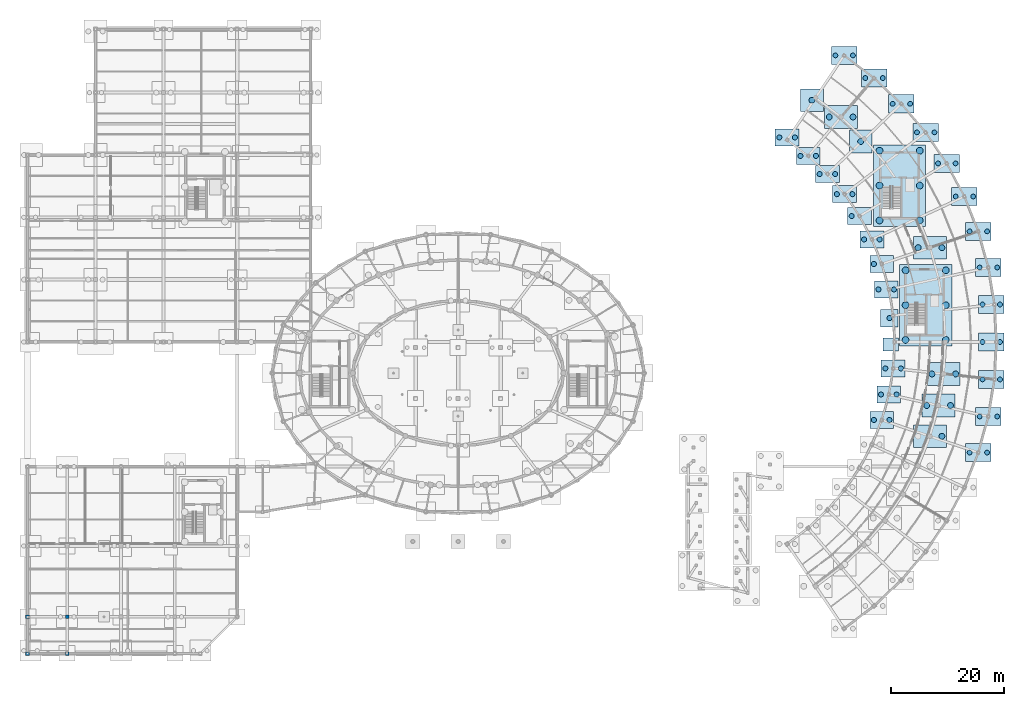
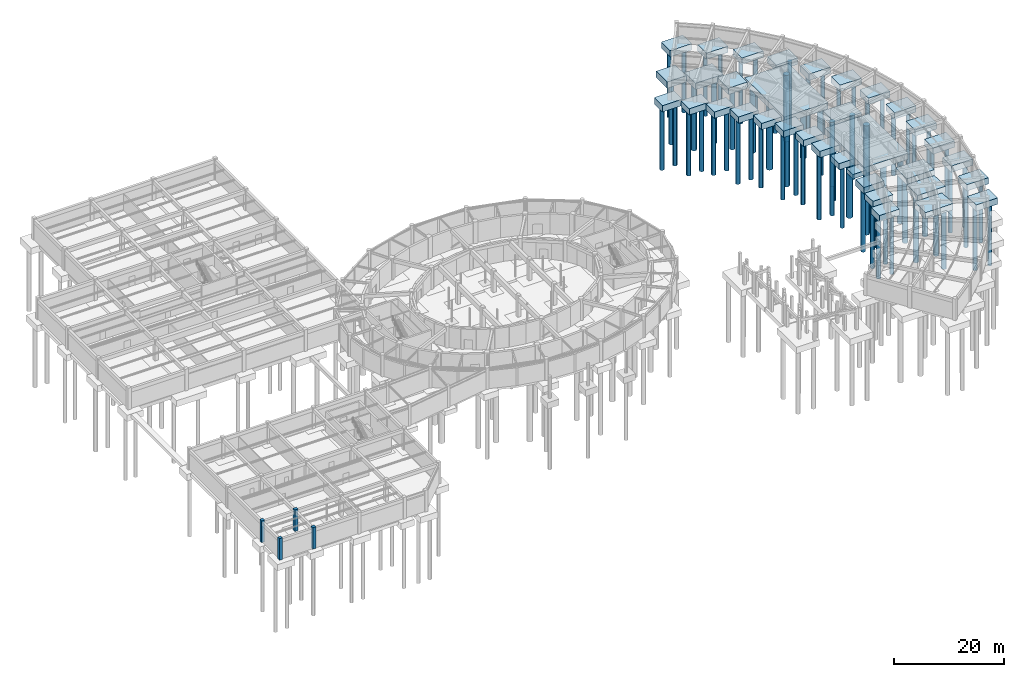
# One storey, part 5 of 42: 70 piles, 35 footings, 4 columns.
"""IFC4 building model written with IfcOpenShell, lengths in metres."""

import ifcopenshell
import ifcopenshell.guid

model = None  # the IFC model being written
_history = None  # IfcOwnerHistory: only IFC2X3 demands one
_inside = {}  # id of a spatial element -> (the spatial element, [elements in it])
_under = {}  # id of a project, library or spatial element -> (it, [spatial elements below it])
_declared = {}  # id of a project -> (the project, [libraries it declares])
_typed = {}  # id of a type object -> (the type object, [elements of that type])
_made_of = {}  # id of a material, layer set ... -> (it, [elements and type objects made of it])


def new_model(schema):
    """Start an empty IFC model of exactly this schema.

    Asked for "IFC4X3", IfcOpenShell would pick the latest addendum, in which some entities
    have other attributes; the version numbers below select the first issue.
    IFC2X3 requires an IfcOwnerHistory on every rooted entity: one is made here for all.
    """
    global model, _history
    if schema == "IFC4X3":
        model = ifcopenshell.file(schema_version=(4, 3, 0, 0))
    else:
        model = ifcopenshell.file(schema=schema)
    _inside.clear()
    _under.clear()
    _declared.clear()
    _typed.clear()
    _made_of.clear()
    _history = None
    if model.schema == "IFC2X3":
        org = make("IfcOrganization", Name="unknown")
        user = make(
            "IfcPersonAndOrganization",
            ThePerson=make("IfcPerson", FamilyName="unknown"),
            TheOrganization=org,
        )
        app = make(
            "IfcApplication",
            ApplicationDeveloper=org,
            Version="unknown",
            ApplicationFullName="unknown",
            ApplicationIdentifier="unknown",
        )
        _history = make(
            "IfcOwnerHistory",
            OwningUser=user,
            OwningApplication=app,
            ChangeAction="ADDED",
            CreationDate=0,
        )
    return model


def make(cls, **values):
    """One entity of the class cls with the attributes given. An attribute that is None is left unset."""
    return model.create_entity(
        cls, **{name: value for name, value in values.items() if value is not None}
    )


def rooted(cls, **values):
    """An entity with a GlobalId (a new one), such as an element, a storey or a relation."""
    return make(cls, GlobalId=ifcopenshell.guid.new(), OwnerHistory=_history, **values)


def si_unit(unit_type, name, prefix=None):
    """IfcSIUnit, for example si_unit("LENGTHUNIT", "METRE", prefix="MILLI")."""
    return make("IfcSIUnit", UnitType=unit_type, Prefix=prefix, Name=name)


def assignment(units):
    """IfcUnitAssignment: the units of a project."""
    return None if units is None else make("IfcUnitAssignment", Units=units)


def point(xyz):
    """IfcCartesianPoint."""
    return None if xyz is None else make("IfcCartesianPoint", Coordinates=xyz)


def direction(xyz):
    """IfcDirection."""
    return None if xyz is None else make("IfcDirection", DirectionRatios=xyz)


def frame(location, z_axis=None, x_axis=None):
    """IfcAxis2Placement3D, a coordinate frame: its origin and axes. An axis left out is left unset."""
    return make(
        "IfcAxis2Placement3D",
        Location=point(location),
        Axis=direction(z_axis),
        RefDirection=direction(x_axis),
    )


def frame_2d(location, x_axis=None):
    """IfcAxis2Placement2D, a coordinate frame in the plane: its origin and x axis."""
    return make(
        "IfcAxis2Placement2D", Location=point(location), RefDirection=direction(x_axis)
    )


def origin():
    """The frame at (0, 0, 0) with its axes left unset."""
    return frame((0.0, 0.0, 0.0))


def origin_2d():
    """The frame at (0, 0) in the plane with its x axis left unset."""
    return frame_2d((0.0, 0.0))


def place(relative_to, where):
    """IfcLocalPlacement: puts the frame where relative to a parent placement (None: the world)."""
    return make(
        "IfcLocalPlacement", PlacementRelTo=relative_to, RelativePlacement=where
    )


def context(
    kind, dimensions, precision=None, world=None, true_north=None, identifier=None
):
    """IfcGeometricRepresentationContext, for example the 3D "Model" context."""
    return make(
        "IfcGeometricRepresentationContext",
        ContextIdentifier=identifier,
        ContextType=kind,
        CoordinateSpaceDimension=dimensions,
        Precision=precision,
        WorldCoordinateSystem=world,
        TrueNorth=true_north,
    )


def subcontext(parent, identifier, kind, view, scale=None):
    """IfcGeometricRepresentationSubContext, for example "Body" below "Model"."""
    return make(
        "IfcGeometricRepresentationSubContext",
        ContextIdentifier=identifier,
        ContextType=kind,
        ParentContext=parent,
        TargetScale=scale,
        TargetView=view,
    )


def project(units=None, contexts=None):
    """IfcProject with its units and contexts."""
    return rooted(
        "IfcProject",
        Name="project",
        RepresentationContexts=contexts,
        UnitsInContext=assignment(units),
    )


def spatial(cls, under=None, at=None, **own):
    """A site, building, storey or space (cls), placed at a placement, below another one or the project."""
    s = rooted(cls, ObjectPlacement=at, **own)
    if under is not None:
        _under.setdefault(under.id(), (under, []))[1].append(s)
    return s


def profile(cls, at=None, kind="AREA", **sizes):
    """A parametric profile (cls). Its sizes go by their IFC names, for example OverallWidth=200.0."""
    return make(cls, ProfileType=kind, Position=at, **sizes)


def rectangle(**sizes):
    """IfcRectangleProfileDef."""
    return profile("IfcRectangleProfileDef", **sizes)


def circle(**sizes):
    """IfcCircleProfileDef."""
    return profile("IfcCircleProfileDef", **sizes)


def extrude(swept, where, along, depth):
    """IfcExtrudedAreaSolid: the profile swept, set in the frame where, extruded along a direction by depth."""
    return make(
        "IfcExtrudedAreaSolid",
        SweptArea=swept,
        Position=where,
        ExtrudedDirection=direction(along),
        Depth=depth,
    )


def shape(context_of_items, identifier, shape_type, items):
    """IfcShapeRepresentation: the items that make up one representation, for example the "Body"."""
    return make(
        "IfcShapeRepresentation",
        ContextOfItems=context_of_items,
        RepresentationIdentifier=identifier,
        RepresentationType=shape_type,
        Items=items,
    )


def material(Name=None, Category=None):
    """IfcMaterial."""
    return make("IfcMaterial", Name=Name, Category=Category)


def material_profile(
    of_material, cross_section, Name=None, Category=None, Priority=None
):
    """IfcMaterialProfile: a cross section and its material."""
    return make(
        "IfcMaterialProfile",
        Name=Name,
        Material=of_material,
        Profile=cross_section,
        Priority=Priority,
        Category=Category,
    )


def profile_set(profiles, Name=None, composite=None):
    """IfcMaterialProfileSet."""
    return make(
        "IfcMaterialProfileSet",
        Name=Name,
        MaterialProfiles=profiles,
        CompositeProfile=composite,
    )


def made_of(thing, what):
    """Note that an element or type object is made of a material, layer set ...; save() writes the relation."""
    if what is not None:
        _made_of.setdefault(what.id(), (what, []))[1].append(thing)
    return thing


def type_object(cls, material=None, **own):
    """A type object (cls), such as IfcWallType, which elements share."""
    return made_of(rooted(cls, **own), material)


def element(
    cls,
    number,
    at=None,
    inside=None,
    cuts=None,
    type_object=None,
    material=None,
    context=None,
    identifier="Body",
    shape_type=None,
    held_by="IfcProductDefinitionShape",
    body=None,
    shapes=None,
    **own,
):
    """One element of the class cls, such as IfcWall. Its Tag is "e" and its number.

    at: its placement. inside: the storey or other place that contains it. cuts: it is an
    opening in that element (IfcRelVoidsElement). A single representation is given by context,
    identifier, shape_type and body (its items); several are given by shapes. held_by: the class
    of the entity that holds the representations. save() writes the other relations.
    """
    e = rooted(cls, Tag="e%d" % number, ObjectPlacement=at, **own)
    if body is not None:
        shapes = [shape(context, identifier, shape_type, body)]
    if shapes is not None:
        e.Representation = make(held_by, Representations=shapes)
    if inside is not None:
        _inside.setdefault(inside.id(), (inside, []))[1].append(e)
    if cuts is not None:
        rooted(
            "IfcRelVoidsElement", RelatingBuildingElement=cuts, RelatedOpeningElement=e
        )
    if type_object is not None:
        _typed.setdefault(type_object.id(), (type_object, []))[1].append(e)
    return made_of(e, material)


def aggregate(whole, parts):
    """IfcRelAggregates: a whole, such as a stair, and the parts it consists of."""
    return rooted("IfcRelAggregates", RelatingObject=whole, RelatedObjects=parts)


def save(model, path):
    """Write the relations noted so far, then the file.

    IfcRelAggregates (storeys below a building ...), IfcRelContainedInSpatialStructure (elements
    in a storey), IfcRelDefinesByType, IfcRelAssociatesMaterial and IfcRelDeclares: one each for
    every whole, place, type object, material and project.
    """
    for whole, parts in _under.values():
        aggregate(whole, parts)
    for where, things in _inside.values():
        rooted(
            "IfcRelContainedInSpatialStructure",
            RelatedElements=things,
            RelatingStructure=where,
        )
    for kind, things in _typed.values():
        rooted("IfcRelDefinesByType", RelatedObjects=things, RelatingType=kind)
    for what, things in _made_of.values():
        rooted("IfcRelAssociatesMaterial", RelatedObjects=things, RelatingMaterial=what)
    for by, libraries in _declared.values():
        rooted("IfcRelDeclares", RelatingContext=by, RelatedDefinitions=libraries)
    model.write(path)


model = new_model("IFC4")

# Units and contexts
model_context = context("Model", 3, precision=1e-05, world=origin(), true_north=direction((0.0, 1.0)))
body_context = subcontext(model_context, "Body", "Model", "MODEL_VIEW")
ifc_project = project(units=[si_unit("LENGTHUNIT", "METRE"), si_unit("AREAUNIT", "SQUARE_METRE"), si_unit("VOLUMEUNIT", "CUBIC_METRE"), si_unit("PLANEANGLEUNIT", "RADIAN"), si_unit("MASSUNIT", "GRAM", prefix="KILO")], contexts=[model_context])

# Site, building, storey
site_placement = place(None, origin())
site = spatial("IfcSite", under=ifc_project, at=site_placement, CompositionType="ELEMENT")
building_placement = place(site_placement, origin())
building = spatial("IfcBuilding", under=site, at=building_placement, Name="Tarnveldt Headland Concert Hall", CompositionType="ELEMENT")
storey_placement = place(building_placement, frame((0.0, 0.0, -4.800048828125)))
storey = spatial("IfcBuildingStorey", under=building, at=storey_placement, Name="B1", CompositionType="ELEMENT", Elevation=-4.800048828125)

# Footings
ifc_material = material(Name="Concrete C40/50", Category="concrete")
footing_type_1 = type_object("IfcFootingType", Name="PC-03", PredefinedType="PILE_CAP", material=ifc_material)
footing_1_placement = place(storey_placement, frame((159.5966796875, 64.210693359375, -1.39990234375), z_axis=(0.0, 0.0, 1.0), x_axis=(1.0, 0.0, 0.0)))
element("IfcFooting", 1, at=footing_1_placement, inside=storey, type_object=footing_type_1, Name="Foundation V3C10IN", PredefinedType="PILE_CAP", context=body_context, shape_type="SweptSolid", body=[
    extrude(rectangle(XDim=3.10009765625, YDim=3.10009765625, at=origin_2d()), origin(), (0.0, 0.0, 1.0), 1.39990234375),
])
footing_type_2 = type_object("IfcFootingType", Name="PC-06", PredefinedType="PILE_CAP", material=ifc_material)
for number, where, z_axis, x_axis, name in (
    (2, (154.53466796875, 95.381103515625, -1.39990234375), (0.0, 0.0, 1.0), (1.0, 0.0, 0.0), "Foundation V3C16MD"),
    (3, (145.927978515625, 102.659912109375, -1.39990234375), (0.0, 0.0, 1.0), (1.0, 0.0, 0.0), "Foundation V3C18MD"),
):
    element("IfcFooting", number, at=place(storey_placement, frame(where, z_axis=z_axis, x_axis=x_axis)), inside=storey, type_object=footing_type_2, Name=name, PredefinedType="PILE_CAP", context=body_context, shape_type="SweptSolid", body=[
        extrude(rectangle(XDim=4.0, YDim=4.0, at=origin_2d()), origin(), (0.0, 0.0, 1.0), 1.39990234375),
    ])
footing_type_3 = type_object("IfcFootingType", Name="PC-07", PredefinedType="PILE_CAP", material=ifc_material)
for number, where, z_axis, x_axis, name in (
    (4, (158.238037109375, 46.2373046875, -1.39990234375), (0.0, 0.0, 1.0), (1.0, 0.0, 0.0), "Foundation V3C06IN"),
    (5, (159.48974609375, 50.73388671875, -1.39990234375), (0.0, 0.0, 1.0), (1.0, 0.0, 0.0), "Foundation V3C07IN"),
    (6, (160.24658203125, 55.33935546875, -1.39990234375), (0.0, 0.0, 1.0), (1.0, 0.0, 0.0), "Foundation V3C08IN"),
    (7, (159.039794921875, 69.26611328125, -1.39990234375), (0.0, 0.0, 1.0), (1.0, 0.0, 0.0), "Foundation V3C11IN"),
    (8, (158.238037109375, 73.7626953125, -1.39990234375), (0.0, 0.0, 1.0), (1.0, 0.0, 0.0), "Foundation V3C12IN"),
    (9, (156.50634765625, 78.096923828125, -1.39990234375), (0.0, 0.0, 1.0), (1.0, 0.0, 0.0), "Foundation V3C13IN"),
    (10, (154.315185546875, 82.218017578125, -1.39990234375), (0.0, 0.0, 1.0), (1.0, 0.0, 0.0), "Foundation V3C14IN"),
    (11, (151.690185546875, 86.077392578125, -1.39990234375), (0.0, 0.0, 1.0), (1.0, 0.0, 0.0), "Foundation V3C15IN"),
    (12, (148.662353515625, 89.62939453125, -1.39990234375), (0.0, 0.0, 1.0), (1.0, 0.0, 0.0), "Foundation V3C16IN"),
    (13, (145.267333984375, 92.83251953125, -1.39990234375), (0.0, 0.0, 1.0), (1.0, 0.0, 0.0), "Foundation V3C17IN"),
    (14, (141.54541015625, 96.0986328125, -1.39990234375), (0.0, 0.0, 1.0), (1.0, 0.0, 0.0), "Foundation V3C18IN"),
):
    element("IfcFooting", number, at=place(storey_placement, frame(where, z_axis=z_axis, x_axis=x_axis)), inside=storey, type_object=footing_type_3, Name=name, PredefinedType="PILE_CAP", context=body_context, shape_type="SweptSolid", body=[
        extrude(rectangle(XDim=4.199951171875, YDim=3.0, at=origin_2d()), origin(), (0.0, 0.0, 1.0), 1.39990234375),
    ])
footing_type_4 = type_object("IfcFootingType", Name="PC-08", PredefinedType="PILE_CAP", material=ifc_material)
for number, where, z_axis, x_axis, name in (
    (15, (175.291259765625, 40.476318359375, -1.39990234375), (0.0, 0.0, 1.0), (1.0, 0.0, 0.0), "Foundation V3C06OUT"),
    (16, (177.06689453125, 46.85498046875, -1.39990234375), (0.0, 0.0, 1.0), (1.0, 0.0, 0.0), "Foundation V3C07OUT"),
    (17, (177.570068359375, 53.388427734375, -1.39990234375), (0.0, 0.0, 1.0), (1.0, 0.0, 0.0), "Foundation V3C08OUT"),
    (18, (177.570068359375, 60.0, -1.39990234375), (0.0, 0.0, 1.0), (1.0, 0.0, 0.0), "Foundation V3C09OUT"),
    (19, (177.570068359375, 66.611572265625, -1.39990234375), (0.0, 0.0, 1.0), (1.0, 0.0, 0.0), "Foundation V3C10OUT"),
    (20, (177.06689453125, 73.14501953125, -1.39990234375), (0.0, 0.0, 1.0), (1.0, 0.0, 0.0), "Foundation V3C11OUT"),
    (21, (175.291259765625, 79.523681640625, -1.39990234375), (0.0, 0.0, 1.0), (1.0, 0.0, 0.0), "Foundation V3C12OUT"),
    (22, (172.834716796875, 85.672607421875, -1.39990234375), (0.0, 0.0, 1.0), (1.0, 0.0, 0.0), "Foundation V3C13OUT"),
    (23, (169.726318359375, 91.518798828125, -1.39990234375), (0.0, 0.0, 1.0), (1.0, 0.0, 0.0), "Foundation V3C14OUT"),
    (24, (166.00244140625, 96.993408203125, -1.39990234375), (0.0, 0.0, 1.0), (1.0, 0.0, 0.0), "Foundation V3C15OUT"),
    (25, (161.70703125, 102.032470703125, -1.39990234375), (0.0, 0.0, 1.0), (1.0, 0.0, 0.0), "Foundation V3C16OUT"),
    (26, (156.89111328125, 106.576416015625, -1.39990234375), (0.0, 0.0, 1.0), (1.0, 0.0, 0.0), "Foundation V3C17OUT"),
    (27, (151.61083984375, 110.5712890625, -1.39990234375), (0.0, 0.0, 1.0), (1.0, 0.0, 0.0), "Foundation V3C18OUT"),
):
    element("IfcFooting", number, at=place(storey_placement, frame(where, z_axis=z_axis, x_axis=x_axis)), inside=storey, type_object=footing_type_4, Name=name, PredefinedType="PILE_CAP", context=body_context, shape_type="SweptSolid", body=[
        extrude(rectangle(XDim=4.5, YDim=3.199951171875, at=origin_2d()), origin(), (0.0, 0.0, 1.0), 1.39990234375),
    ])
footing_type_5 = type_object("IfcFootingType", Name="PC-11", PredefinedType="PILE_CAP", material=ifc_material)
for number, where, z_axis, x_axis, name in (
    (28, (166.7646484375, 43.356689453125, -1.39990234375), (0.0, 0.0, 1.0), (1.0, 0.0, 0.0), "Foundation V3C06MD"),
    (29, (168.2783203125, 48.79443359375, -1.39990234375), (0.0, 0.0, 1.0), (1.0, 0.0, 0.0), "Foundation V3C07MD"),
    (30, (169.193603515625, 54.364013671875, -1.39990234375), (0.0, 0.0, 1.0), (1.0, 0.0, 0.0), "Foundation V3C08MD"),
    (31, (166.7646484375, 76.643310546875, -1.39990234375), (0.0, 0.0, 1.0), (1.0, 0.0, 0.0), "Foundation V3C12MD"),
    (32, (151.0791015625, 99.704345703125, -1.39990234375), (0.0, 0.0, 1.0), (1.0, 0.0, 0.0), "Foundation V3C17MD"),
):
    element("IfcFooting", number, at=place(storey_placement, frame(where, z_axis=z_axis, x_axis=x_axis)), inside=storey, type_object=footing_type_5, Name=name, PredefinedType="PILE_CAP", context=body_context, shape_type="SweptSolid", body=[
        extrude(rectangle(XDim=5.800048828125, YDim=4.0, at=origin_2d()), origin(), (0.0, 0.0, 1.0), 1.39990234375),
    ])
footing_type_6 = type_object("IfcFootingType", Name="PC-17", PredefinedType="PILE_CAP", material=ifc_material)
for number, where, z_axis, x_axis, name in (
    (33, (161.39990234375, 87.60009765625, -1.39990234375), (0.0, 0.0, 1.0), (1.0, 0.0, 0.0), "Core C3 pile cap"),
    (34, (166.0, 66.5, -1.39990234375), (0.0, 0.0, 1.0), (1.0, 0.0, 0.0), "Core C4 pile cap"),
):
    element("IfcFooting", number, at=place(storey_placement, frame(where, z_axis=z_axis, x_axis=x_axis)), inside=storey, type_object=footing_type_6, Name=name, PredefinedType="PILE_CAP", context=body_context, shape_type="SweptSolid", body=[
        extrude(rectangle(XDim=9.199951171875, YDim=14.39990234375, at=origin_2d()), origin(), (0.0, 0.0, 1.0), 1.39990234375),
    ])
footing_type_7 = type_object("IfcFootingType", Name="PF-05", PredefinedType="PAD_FOOTING", material=ifc_material)
footing_2_placement = place(storey_placement, frame((159.85009765625, 59.550048828125, -1.0), z_axis=(0.0, 0.0, 1.0), x_axis=(1.0, 0.0, 0.0)))
element("IfcFooting", 35, at=footing_2_placement, inside=storey, type_object=footing_type_7, Name="Foundation V3C09IN", PredefinedType="PAD_FOOTING", context=body_context, shape_type="SweptSolid", body=[
    extrude(rectangle(XDim=2.699951171875, YDim=2.300048828125, at=origin_2d()), origin(), (0.0, 0.0, 1.0), 1.0),
])

# Piles
ifc_material_profile_1 = material_profile(ifc_material, circle(Radius=0.52490234375, at=origin_2d()), Name="BORED PILE D1050", Category="concrete")
ifc_profile_set_1 = profile_set([ifc_material_profile_1], Name="Concrete C40/50")
pile_type_1 = type_object("IfcPileType", Name="PL-1050", PredefinedType="BORED", material=ifc_profile_set_1)
pile_1_placement = place(storey_placement, frame((168.859619140625, 43.356689453125, -1.300048828125), z_axis=(0.0, 0.0, -1.0), x_axis=(1.0, 0.0, 0.0)))
element("IfcPile", 36, at=pile_1_placement, inside=storey, type_object=pile_type_1, Name="Bored pile PILE-V3C06MD-02", PredefinedType="BORED", context=body_context, shape_type="SweptSolid", body=[
    extrude(circle(Radius=0.52490234375, at=origin_2d()), origin(), (0.0, 0.0, 1.0), 13.89990234375),
])
for number, where, z_axis, x_axis, name in (
    (37, (166.183349609375, 48.79443359375, -1.300048828125), (0.0, 0.0, -1.0), (1.0, 0.0, 0.0), "Bored pile PILE-V3C07MD-01"),
    (38, (170.373291015625, 48.79443359375, -1.300048828125), (0.0, 0.0, -1.0), (1.0, 0.0, 0.0), "Bored pile PILE-V3C07MD-02"),
):
    element("IfcPile", number, at=place(storey_placement, frame(where, z_axis=z_axis, x_axis=x_axis)), inside=storey, type_object=pile_type_1, Name=name, PredefinedType="BORED", context=body_context, shape_type="SweptSolid", body=[
        extrude(circle(Radius=0.52490234375, at=origin_2d()), origin(), (0.0, 0.0, 1.0), 14.800048828125),
    ])
for number, where, z_axis, x_axis, name in (
    (39, (167.0986328125, 54.364013671875, -1.300048828125), (0.0, 0.0, -1.0), (1.0, 0.0, 0.0), "Bored pile PILE-V3C08MD-01"),
    (40, (171.288818359375, 54.364013671875, -1.300048828125), (0.0, 0.0, -1.0), (1.0, 0.0, 0.0), "Bored pile PILE-V3C08MD-02"),
    (41, (164.669677734375, 76.643310546875, -1.300048828125), (0.0, 0.0, -1.0), (1.0, 0.0, 0.0), "Bored pile PILE-V3C12MD-01"),
    (42, (168.859619140625, 76.643310546875, -1.300048828125), (0.0, 0.0, -1.0), (1.0, 0.0, 0.0), "Bored pile PILE-V3C12MD-02"),
):
    element("IfcPile", number, at=place(storey_placement, frame(where, z_axis=z_axis, x_axis=x_axis)), inside=storey, type_object=pile_type_1, Name=name, PredefinedType="BORED", context=body_context, shape_type="SweptSolid", body=[
        extrude(circle(Radius=0.52490234375, at=origin_2d()), origin(), (0.0, 0.0, 1.0), 14.199951171875),
    ])
pile_2_placement = place(storey_placement, frame((154.53466796875, 95.381103515625, -1.300048828125), z_axis=(0.0, 0.0, -1.0), x_axis=(1.0, 0.0, 0.0)))
element("IfcPile", 43, at=pile_2_placement, inside=storey, type_object=pile_type_1, Name="Bored pile PILE-V3C16MD-01", PredefinedType="BORED", context=body_context, shape_type="SweptSolid", body=[
    extrude(circle(Radius=0.52490234375, at=origin_2d()), origin(), (0.0, 0.0, 1.0), 13.89990234375),
])
for number, where, z_axis, x_axis, name in (
    (44, (148.984130859375, 99.704345703125, -1.300048828125), (0.0, 0.0, -1.0), (1.0, 0.0, 0.0), "Bored pile PILE-V3C17MD-01"),
    (45, (153.17431640625, 99.704345703125, -1.300048828125), (0.0, 0.0, -1.0), (1.0, 0.0, 0.0), "Bored pile PILE-V3C17MD-02"),
):
    element("IfcPile", number, at=place(storey_placement, frame(where, z_axis=z_axis, x_axis=x_axis)), inside=storey, type_object=pile_type_1, Name=name, PredefinedType="BORED", context=body_context, shape_type="SweptSolid", body=[
        extrude(circle(Radius=0.52490234375, at=origin_2d()), origin(), (0.0, 0.0, 1.0), 14.800048828125),
    ])
pile_3_placement = place(storey_placement, frame((145.927978515625, 102.659912109375, -1.300048828125), z_axis=(0.0, 0.0, -1.0), x_axis=(1.0, 0.0, 0.0)))
element("IfcPile", 46, at=pile_3_placement, inside=storey, type_object=pile_type_1, Name="Bored pile PILE-V3C18MD-01", PredefinedType="BORED", context=body_context, shape_type="SweptSolid", body=[
    extrude(circle(Radius=0.52490234375, at=origin_2d()), origin(), (0.0, 0.0, 1.0), 14.199951171875),
])
ifc_material_profile_2 = material_profile(ifc_material, circle(Radius=0.60009765625, at=origin_2d()), Name="BORED PILE D1200", Category="concrete")
ifc_profile_set_2 = profile_set([ifc_material_profile_2], Name="Concrete C40/50")
pile_type_2 = type_object("IfcPileType", Name="PL-1200", PredefinedType="BORED", material=ifc_profile_set_2)
for number, where, z_axis, x_axis, name in (
    (47, (157.85009765625, 81.449951171875, -1.300048828125), (0.0, 0.0, -1.0), (1.0, 0.0, 0.0), "Bored pile PILE-C3-01"),
    (48, (164.949951171875, 81.449951171875, -1.300048828125), (0.0, 0.0, -1.0), (1.0, 0.0, 0.0), "Bored pile PILE-C3-02"),
    (49, (157.85009765625, 87.60009765625, -1.300048828125), (0.0, 0.0, -1.0), (1.0, 0.0, 0.0), "Bored pile PILE-C3-03"),
    (50, (164.949951171875, 87.60009765625, -1.300048828125), (0.0, 0.0, -1.0), (1.0, 0.0, 0.0), "Bored pile PILE-C3-04"),
    (51, (157.85009765625, 93.75, -1.300048828125), (0.0, 0.0, -1.0), (1.0, 0.0, 0.0), "Bored pile PILE-C3-05"),
    (52, (164.949951171875, 93.75, -1.300048828125), (0.0, 0.0, -1.0), (1.0, 0.0, 0.0), "Bored pile PILE-C3-06"),
):
    element("IfcPile", number, at=place(storey_placement, frame(where, z_axis=z_axis, x_axis=x_axis)), inside=storey, type_object=pile_type_2, Name=name, PredefinedType="BORED", context=body_context, shape_type="SweptSolid", body=[
        extrude(circle(Radius=0.60009765625, at=origin_2d()), origin(), (0.0, 0.0, 1.0), 14.800048828125),
    ])
for number, where, z_axis, x_axis, name in (
    (53, (162.449951171875, 60.35009765625, -1.300048828125), (0.0, 0.0, -1.0), (1.0, 0.0, 0.0), "Bored pile PILE-C4-01"),
    (54, (169.550048828125, 60.35009765625, -1.300048828125), (0.0, 0.0, -1.0), (1.0, 0.0, 0.0), "Bored pile PILE-C4-02"),
    (55, (162.449951171875, 66.5, -1.300048828125), (0.0, 0.0, -1.0), (1.0, 0.0, 0.0), "Bored pile PILE-C4-03"),
    (56, (169.550048828125, 66.5, -1.300048828125), (0.0, 0.0, -1.0), (1.0, 0.0, 0.0), "Bored pile PILE-C4-04"),
    (57, (162.449951171875, 72.64990234375, -1.300048828125), (0.0, 0.0, -1.0), (1.0, 0.0, 0.0), "Bored pile PILE-C4-05"),
    (58, (169.550048828125, 72.64990234375, -1.300048828125), (0.0, 0.0, -1.0), (1.0, 0.0, 0.0), "Bored pile PILE-C4-06"),
):
    element("IfcPile", number, at=place(storey_placement, frame(where, z_axis=z_axis, x_axis=x_axis)), inside=storey, type_object=pile_type_2, Name=name, PredefinedType="BORED", context=body_context, shape_type="SweptSolid", body=[
        extrude(circle(Radius=0.60009765625, at=origin_2d()), origin(), (0.0, 0.0, 1.0), 14.300048828125),
    ])
ifc_material_profile_3 = material_profile(ifc_material, circle(Radius=0.425048828125, at=origin_2d()), Name="BORED PILE D850", Category="concrete")
ifc_profile_set_3 = profile_set([ifc_material_profile_3], Name="Concrete C40/50")
pile_type_3 = type_object("IfcPileType", Name="PL-850", PredefinedType="BORED", material=ifc_profile_set_3)
for number, where, z_axis, x_axis, name in (
    (59, (173.74609375, 40.476318359375, -1.300048828125), (0.0, 0.0, -1.0), (1.0, 0.0, 0.0), "Bored pile PILE-V3C06OUT-01"),
    (60, (176.836181640625, 40.476318359375, -1.300048828125), (0.0, 0.0, -1.0), (1.0, 0.0, 0.0), "Bored pile PILE-V3C06OUT-02"),
):
    element("IfcPile", number, at=place(storey_placement, frame(where, z_axis=z_axis, x_axis=x_axis)), inside=storey, type_object=pile_type_3, Name=name, PredefinedType="BORED", context=body_context, shape_type="SweptSolid", body=[
        extrude(circle(Radius=0.425048828125, at=origin_2d()), origin(), (0.0, 0.0, 1.0), 14.199951171875),
    ])
for number, where, z_axis, x_axis, name in (
    (61, (175.521728515625, 46.85498046875, -1.300048828125), (0.0, 0.0, -1.0), (1.0, 0.0, 0.0), "Bored pile PILE-V3C07OUT-01"),
    (62, (178.61181640625, 46.85498046875, -1.300048828125), (0.0, 0.0, -1.0), (1.0, 0.0, 0.0), "Bored pile PILE-V3C07OUT-02"),
):
    element("IfcPile", number, at=place(storey_placement, frame(where, z_axis=z_axis, x_axis=x_axis)), inside=storey, type_object=pile_type_3, Name=name, PredefinedType="BORED", context=body_context, shape_type="SweptSolid", body=[
        extrude(circle(Radius=0.425048828125, at=origin_2d()), origin(), (0.0, 0.0, 1.0), 13.60009765625),
    ])
for number, where, z_axis, x_axis, name in (
    (63, (176.02490234375, 53.388427734375, -1.300048828125), (0.0, 0.0, -1.0), (1.0, 0.0, 0.0), "Bored pile PILE-V3C08OUT-01"),
    (64, (179.114990234375, 53.388427734375, -1.300048828125), (0.0, 0.0, -1.0), (1.0, 0.0, 0.0), "Bored pile PILE-V3C08OUT-02"),
):
    element("IfcPile", number, at=place(storey_placement, frame(where, z_axis=z_axis, x_axis=x_axis)), inside=storey, type_object=pile_type_3, Name=name, PredefinedType="BORED", context=body_context, shape_type="SweptSolid", body=[
        extrude(circle(Radius=0.425048828125, at=origin_2d()), origin(), (0.0, 0.0, 1.0), 14.5),
    ])
for number, where, z_axis, x_axis, name in (
    (65, (176.02490234375, 60.0, -1.300048828125), (0.0, 0.0, -1.0), (1.0, 0.0, 0.0), "Bored pile PILE-V3C09OUT-01"),
    (66, (179.114990234375, 60.0, -1.300048828125), (0.0, 0.0, -1.0), (1.0, 0.0, 0.0), "Bored pile PILE-V3C09OUT-02"),
):
    element("IfcPile", number, at=place(storey_placement, frame(where, z_axis=z_axis, x_axis=x_axis)), inside=storey, type_object=pile_type_3, Name=name, PredefinedType="BORED", context=body_context, shape_type="SweptSolid", body=[
        extrude(circle(Radius=0.425048828125, at=origin_2d()), origin(), (0.0, 0.0, 1.0), 13.89990234375),
    ])
for number, where, z_axis, x_axis, name in (
    (67, (176.02490234375, 66.611572265625, -1.300048828125), (0.0, 0.0, -1.0), (1.0, 0.0, 0.0), "Bored pile PILE-V3C10OUT-01"),
    (68, (179.114990234375, 66.611572265625, -1.300048828125), (0.0, 0.0, -1.0), (1.0, 0.0, 0.0), "Bored pile PILE-V3C10OUT-02"),
):
    element("IfcPile", number, at=place(storey_placement, frame(where, z_axis=z_axis, x_axis=x_axis)), inside=storey, type_object=pile_type_3, Name=name, PredefinedType="BORED", context=body_context, shape_type="SweptSolid", body=[
        extrude(circle(Radius=0.425048828125, at=origin_2d()), origin(), (0.0, 0.0, 1.0), 14.5),
    ])
for number, where, z_axis, x_axis, name in (
    (69, (175.521728515625, 73.14501953125, -1.300048828125), (0.0, 0.0, -1.0), (1.0, 0.0, 0.0), "Bored pile PILE-V3C11OUT-01"),
    (70, (178.61181640625, 73.14501953125, -1.300048828125), (0.0, 0.0, -1.0), (1.0, 0.0, 0.0), "Bored pile PILE-V3C11OUT-02"),
):
    element("IfcPile", number, at=place(storey_placement, frame(where, z_axis=z_axis, x_axis=x_axis)), inside=storey, type_object=pile_type_3, Name=name, PredefinedType="BORED", context=body_context, shape_type="SweptSolid", body=[
        extrude(circle(Radius=0.425048828125, at=origin_2d()), origin(), (0.0, 0.0, 1.0), 13.60009765625),
    ])
for number, where, z_axis, x_axis, name in (
    (71, (173.74609375, 79.523681640625, -1.300048828125), (0.0, 0.0, -1.0), (1.0, 0.0, 0.0), "Bored pile PILE-V3C12OUT-01"),
    (72, (176.836181640625, 79.523681640625, -1.300048828125), (0.0, 0.0, -1.0), (1.0, 0.0, 0.0), "Bored pile PILE-V3C12OUT-02"),
):
    element("IfcPile", number, at=place(storey_placement, frame(where, z_axis=z_axis, x_axis=x_axis)), inside=storey, type_object=pile_type_3, Name=name, PredefinedType="BORED", context=body_context, shape_type="SweptSolid", body=[
        extrude(circle(Radius=0.425048828125, at=origin_2d()), origin(), (0.0, 0.0, 1.0), 14.5),
    ])
for number, where, z_axis, x_axis, name in (
    (73, (171.289794921875, 85.672607421875, -1.300048828125), (0.0, 0.0, -1.0), (1.0, 0.0, 0.0), "Bored pile PILE-V3C13OUT-01"),
    (74, (174.379638671875, 85.672607421875, -1.300048828125), (0.0, 0.0, -1.0), (1.0, 0.0, 0.0), "Bored pile PILE-V3C13OUT-02"),
):
    element("IfcPile", number, at=place(storey_placement, frame(where, z_axis=z_axis, x_axis=x_axis)), inside=storey, type_object=pile_type_3, Name=name, PredefinedType="BORED", context=body_context, shape_type="SweptSolid", body=[
        extrude(circle(Radius=0.425048828125, at=origin_2d()), origin(), (0.0, 0.0, 1.0), 13.60009765625),
    ])
for number, where, z_axis, x_axis, name in (
    (75, (168.18115234375, 91.518798828125, -1.300048828125), (0.0, 0.0, -1.0), (1.0, 0.0, 0.0), "Bored pile PILE-V3C14OUT-01"),
    (76, (171.271240234375, 91.518798828125, -1.300048828125), (0.0, 0.0, -1.0), (1.0, 0.0, 0.0), "Bored pile PILE-V3C14OUT-02"),
):
    element("IfcPile", number, at=place(storey_placement, frame(where, z_axis=z_axis, x_axis=x_axis)), inside=storey, type_object=pile_type_3, Name=name, PredefinedType="BORED", context=body_context, shape_type="SweptSolid", body=[
        extrude(circle(Radius=0.425048828125, at=origin_2d()), origin(), (0.0, 0.0, 1.0), 14.199951171875),
    ])
for number, where, z_axis, x_axis, name in (
    (77, (164.45751953125, 96.993408203125, -1.300048828125), (0.0, 0.0, -1.0), (1.0, 0.0, 0.0), "Bored pile PILE-V3C15OUT-01"),
    (78, (167.54736328125, 96.993408203125, -1.300048828125), (0.0, 0.0, -1.0), (1.0, 0.0, 0.0), "Bored pile PILE-V3C15OUT-02"),
):
    element("IfcPile", number, at=place(storey_placement, frame(where, z_axis=z_axis, x_axis=x_axis)), inside=storey, type_object=pile_type_3, Name=name, PredefinedType="BORED", context=body_context, shape_type="SweptSolid", body=[
        extrude(circle(Radius=0.425048828125, at=origin_2d()), origin(), (0.0, 0.0, 1.0), 14.800048828125),
    ])
for number, where, z_axis, x_axis, name in (
    (79, (160.162109375, 102.032470703125, -1.300048828125), (0.0, 0.0, -1.0), (1.0, 0.0, 0.0), "Bored pile PILE-V3C16OUT-01"),
    (80, (163.252197265625, 102.032470703125, -1.300048828125), (0.0, 0.0, -1.0), (1.0, 0.0, 0.0), "Bored pile PILE-V3C16OUT-02"),
):
    element("IfcPile", number, at=place(storey_placement, frame(where, z_axis=z_axis, x_axis=x_axis)), inside=storey, type_object=pile_type_3, Name=name, PredefinedType="BORED", context=body_context, shape_type="SweptSolid", body=[
        extrude(circle(Radius=0.425048828125, at=origin_2d()), origin(), (0.0, 0.0, 1.0), 14.199951171875),
    ])
for number, where, z_axis, x_axis, name in (
    (81, (155.345947265625, 106.576416015625, -1.300048828125), (0.0, 0.0, -1.0), (1.0, 0.0, 0.0), "Bored pile PILE-V3C17OUT-01"),
    (82, (158.43603515625, 106.576416015625, -1.300048828125), (0.0, 0.0, -1.0), (1.0, 0.0, 0.0), "Bored pile PILE-V3C17OUT-02"),
):
    element("IfcPile", number, at=place(storey_placement, frame(where, z_axis=z_axis, x_axis=x_axis)), inside=storey, type_object=pile_type_3, Name=name, PredefinedType="BORED", context=body_context, shape_type="SweptSolid", body=[
        extrude(circle(Radius=0.425048828125, at=origin_2d()), origin(), (0.0, 0.0, 1.0), 13.60009765625),
    ])
for number, where, z_axis, x_axis, name in (
    (83, (150.06591796875, 110.5712890625, -1.300048828125), (0.0, 0.0, -1.0), (1.0, 0.0, 0.0), "Bored pile PILE-V3C18OUT-01"),
    (84, (153.15576171875, 110.5712890625, -1.300048828125), (0.0, 0.0, -1.0), (1.0, 0.0, 0.0), "Bored pile PILE-V3C18OUT-02"),
):
    element("IfcPile", number, at=place(storey_placement, frame(where, z_axis=z_axis, x_axis=x_axis)), inside=storey, type_object=pile_type_3, Name=name, PredefinedType="BORED", context=body_context, shape_type="SweptSolid", body=[
        extrude(circle(Radius=0.425048828125, at=origin_2d()), origin(), (0.0, 0.0, 1.0), 14.5),
    ])
ifc_material_profile_4 = material_profile(ifc_material, circle(Radius=0.449951171875, at=origin_2d()), Name="BORED PILE D900", Category="concrete")
ifc_profile_set_4 = profile_set([ifc_material_profile_4], Name="Concrete C40/50")
pile_type_4 = type_object("IfcPileType", Name="PL-900", PredefinedType="BORED", material=ifc_profile_set_4)
for number, where, z_axis, x_axis, name in (
    (85, (156.8681640625, 46.2373046875, -1.300048828125), (0.0, 0.0, -1.0), (1.0, 0.0, 0.0), "Bored pile PILE-V3C06IN-01"),
    (86, (159.608154296875, 46.2373046875, -1.300048828125), (0.0, 0.0, -1.0), (1.0, 0.0, 0.0), "Bored pile PILE-V3C06IN-02"),
):
    element("IfcPile", number, at=place(storey_placement, frame(where, z_axis=z_axis, x_axis=x_axis)), inside=storey, type_object=pile_type_4, Name=name, PredefinedType="BORED", context=body_context, shape_type="SweptSolid", body=[
        extrude(circle(Radius=0.449951171875, at=origin_2d()), origin(), (0.0, 0.0, 1.0), 13.60009765625),
    ])
for number, where, z_axis, x_axis, name in (
    (87, (158.11962890625, 50.73388671875, -1.300048828125), (0.0, 0.0, -1.0), (1.0, 0.0, 0.0), "Bored pile PILE-V3C07IN-01"),
    (88, (160.859619140625, 50.73388671875, -1.300048828125), (0.0, 0.0, -1.0), (1.0, 0.0, 0.0), "Bored pile PILE-V3C07IN-02"),
):
    element("IfcPile", number, at=place(storey_placement, frame(where, z_axis=z_axis, x_axis=x_axis)), inside=storey, type_object=pile_type_4, Name=name, PredefinedType="BORED", context=body_context, shape_type="SweptSolid", body=[
        extrude(circle(Radius=0.449951171875, at=origin_2d()), origin(), (0.0, 0.0, 1.0), 14.5),
    ])
for number, where, z_axis, x_axis, name in (
    (89, (158.876708984375, 55.33935546875, -1.300048828125), (0.0, 0.0, -1.0), (1.0, 0.0, 0.0), "Bored pile PILE-V3C08IN-01"),
    (90, (161.61669921875, 55.33935546875, -1.300048828125), (0.0, 0.0, -1.0), (1.0, 0.0, 0.0), "Bored pile PILE-V3C08IN-02"),
):
    element("IfcPile", number, at=place(storey_placement, frame(where, z_axis=z_axis, x_axis=x_axis)), inside=storey, type_object=pile_type_4, Name=name, PredefinedType="BORED", context=body_context, shape_type="SweptSolid", body=[
        extrude(circle(Radius=0.449951171875, at=origin_2d()), origin(), (0.0, 0.0, 1.0), 13.89990234375),
    ])
pile_4_placement = place(storey_placement, frame((159.5966796875, 64.210693359375, -1.300048828125), z_axis=(0.0, 0.0, -1.0), x_axis=(1.0, 0.0, 0.0)))
element("IfcPile", 91, at=pile_4_placement, inside=storey, type_object=pile_type_4, Name="Bored pile PILE-V3C10IN-01", PredefinedType="BORED", context=body_context, shape_type="SweptSolid", body=[
    extrude(circle(Radius=0.449951171875, at=origin_2d()), origin(), (0.0, 0.0, 1.0), 14.199951171875),
])
for number, where, z_axis, x_axis, name in (
    (92, (157.669677734375, 69.26611328125, -1.300048828125), (0.0, 0.0, -1.0), (1.0, 0.0, 0.0), "Bored pile PILE-V3C11IN-01"),
    (93, (160.40966796875, 69.26611328125, -1.300048828125), (0.0, 0.0, -1.0), (1.0, 0.0, 0.0), "Bored pile PILE-V3C11IN-02"),
):
    element("IfcPile", number, at=place(storey_placement, frame(where, z_axis=z_axis, x_axis=x_axis)), inside=storey, type_object=pile_type_4, Name=name, PredefinedType="BORED", context=body_context, shape_type="SweptSolid", body=[
        extrude(circle(Radius=0.449951171875, at=origin_2d()), origin(), (0.0, 0.0, 1.0), 14.800048828125),
    ])
pile_5_placement = place(storey_placement, frame((156.8681640625, 73.7626953125, -1.300048828125), z_axis=(0.0, 0.0, -1.0), x_axis=(1.0, 0.0, 0.0)))
element("IfcPile", 94, at=pile_5_placement, inside=storey, type_object=pile_type_4, Name="Bored pile PILE-V3C12IN-01", PredefinedType="BORED", context=body_context, shape_type="SweptSolid", body=[
    extrude(circle(Radius=0.449951171875, at=origin_2d()), origin(), (0.0, 0.0, 1.0), 13.89990234375),
])
for number, where, z_axis, x_axis, name in (
    (95, (155.136474609375, 78.096923828125, -1.300048828125), (0.0, 0.0, -1.0), (1.0, 0.0, 0.0), "Bored pile PILE-V3C13IN-01"),
    (96, (157.87646484375, 78.096923828125, -1.300048828125), (0.0, 0.0, -1.0), (1.0, 0.0, 0.0), "Bored pile PILE-V3C13IN-02"),
):
    element("IfcPile", number, at=place(storey_placement, frame(where, z_axis=z_axis, x_axis=x_axis)), inside=storey, type_object=pile_type_4, Name=name, PredefinedType="BORED", context=body_context, shape_type="SweptSolid", body=[
        extrude(circle(Radius=0.449951171875, at=origin_2d()), origin(), (0.0, 0.0, 1.0), 14.800048828125),
    ])
pile_6_placement = place(storey_placement, frame((152.9453125, 82.218017578125, -1.300048828125), z_axis=(0.0, 0.0, -1.0), x_axis=(1.0, 0.0, 0.0)))
element("IfcPile", 97, at=pile_6_placement, inside=storey, type_object=pile_type_4, Name="Bored pile PILE-V3C14IN-01", PredefinedType="BORED", context=body_context, shape_type="SweptSolid", body=[
    extrude(circle(Radius=0.449951171875, at=origin_2d()), origin(), (0.0, 0.0, 1.0), 13.89990234375),
])
for number, where, z_axis, x_axis, name in (
    (98, (150.3203125, 86.077392578125, -1.300048828125), (0.0, 0.0, -1.0), (1.0, 0.0, 0.0), "Bored pile PILE-V3C15IN-01"),
    (99, (153.060302734375, 86.077392578125, -1.300048828125), (0.0, 0.0, -1.0), (1.0, 0.0, 0.0), "Bored pile PILE-V3C15IN-02"),
):
    element("IfcPile", number, at=place(storey_placement, frame(where, z_axis=z_axis, x_axis=x_axis)), inside=storey, type_object=pile_type_4, Name=name, PredefinedType="BORED", context=body_context, shape_type="SweptSolid", body=[
        extrude(circle(Radius=0.449951171875, at=origin_2d()), origin(), (0.0, 0.0, 1.0), 14.5),
    ])
for number, where, z_axis, x_axis, name in (
    (100, (147.29248046875, 89.62939453125, -1.300048828125), (0.0, 0.0, -1.0), (1.0, 0.0, 0.0), "Bored pile PILE-V3C16IN-01"),
    (101, (150.032470703125, 89.62939453125, -1.300048828125), (0.0, 0.0, -1.0), (1.0, 0.0, 0.0), "Bored pile PILE-V3C16IN-02"),
):
    element("IfcPile", number, at=place(storey_placement, frame(where, z_axis=z_axis, x_axis=x_axis)), inside=storey, type_object=pile_type_4, Name=name, PredefinedType="BORED", context=body_context, shape_type="SweptSolid", body=[
        extrude(circle(Radius=0.449951171875, at=origin_2d()), origin(), (0.0, 0.0, 1.0), 13.60009765625),
    ])
for number, where, z_axis, x_axis, name in (
    (102, (143.8974609375, 92.83251953125, -1.300048828125), (0.0, 0.0, -1.0), (1.0, 0.0, 0.0), "Bored pile PILE-V3C17IN-01"),
    (103, (146.637451171875, 92.83251953125, -1.300048828125), (0.0, 0.0, -1.0), (1.0, 0.0, 0.0), "Bored pile PILE-V3C17IN-02"),
):
    element("IfcPile", number, at=place(storey_placement, frame(where, z_axis=z_axis, x_axis=x_axis)), inside=storey, type_object=pile_type_4, Name=name, PredefinedType="BORED", context=body_context, shape_type="SweptSolid", body=[
        extrude(circle(Radius=0.449951171875, at=origin_2d()), origin(), (0.0, 0.0, 1.0), 14.5),
    ])
for number, where, z_axis, x_axis, name in (
    (104, (140.17529296875, 96.0986328125, -1.300048828125), (0.0, 0.0, -1.0), (1.0, 0.0, 0.0), "Bored pile PILE-V3C18IN-01"),
    (105, (142.915283203125, 96.0986328125, -1.300048828125), (0.0, 0.0, -1.0), (1.0, 0.0, 0.0), "Bored pile PILE-V3C18IN-02"),
):
    element("IfcPile", number, at=place(storey_placement, frame(where, z_axis=z_axis, x_axis=x_axis)), inside=storey, type_object=pile_type_4, Name=name, PredefinedType="BORED", context=body_context, shape_type="SweptSolid", body=[
        extrude(circle(Radius=0.449951171875, at=origin_2d()), origin(), (0.0, 0.0, 1.0), 13.89990234375),
    ])

# Columns
ifc_material_profile_5 = material_profile(ifc_material, rectangle(XDim=0.64990234375, YDim=0.64990234375, at=origin_2d()), Name="RC 650x650", Category="concrete")
ifc_profile_set_5 = profile_set([ifc_material_profile_5], Name="Concrete C40/50")
column_type = type_object("IfcColumnType", Name="CC-650", PredefinedType="COLUMN", material=ifc_profile_set_5)
for number, where, z_axis, x_axis, name in (
    (106, (7.5, 5.0, 0.0), (0.0, 0.0, 1.0), (1.0, 0.0, 0.0), "Column V4C01 B1"),
    (107, (14.5, 5.0, 0.0), (0.0, 0.0, 1.0), (1.0, 0.0, 0.0), "Column V4C02 B1"),
    (108, (7.5, 11.5, 0.0), (0.0, 0.0, 1.0), (1.0, 0.0, 0.0), "Column V4C14 B1"),
    (109, (14.5, 11.5, 0.0), (0.0, 0.0, 1.0), (1.0, 0.0, 0.0), "Column V4C15 B1"),
):
    element("IfcColumn", number, at=place(storey_placement, frame(where, z_axis=z_axis, x_axis=x_axis)), inside=storey, type_object=column_type, Name=name, PredefinedType="COLUMN", context=body_context, shape_type="SweptSolid", body=[
        extrude(rectangle(XDim=0.64990234375, YDim=0.64990234375, at=origin_2d()), origin(), (0.0, 0.0, 1.0), 4.800048828125),
    ])

save(model, "model.ifc")
